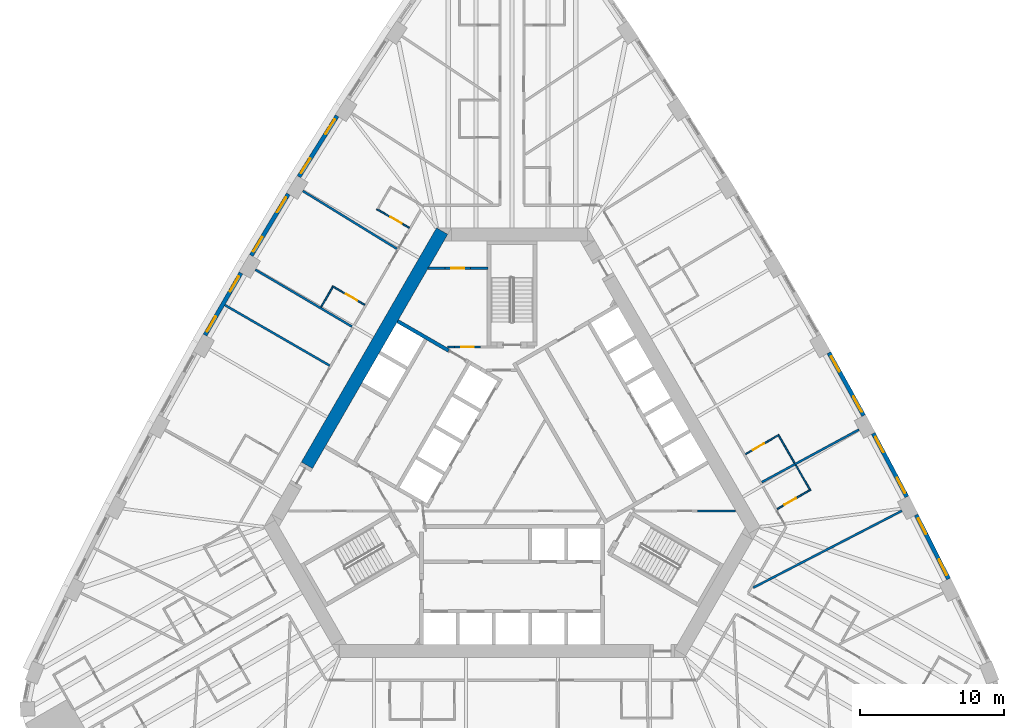
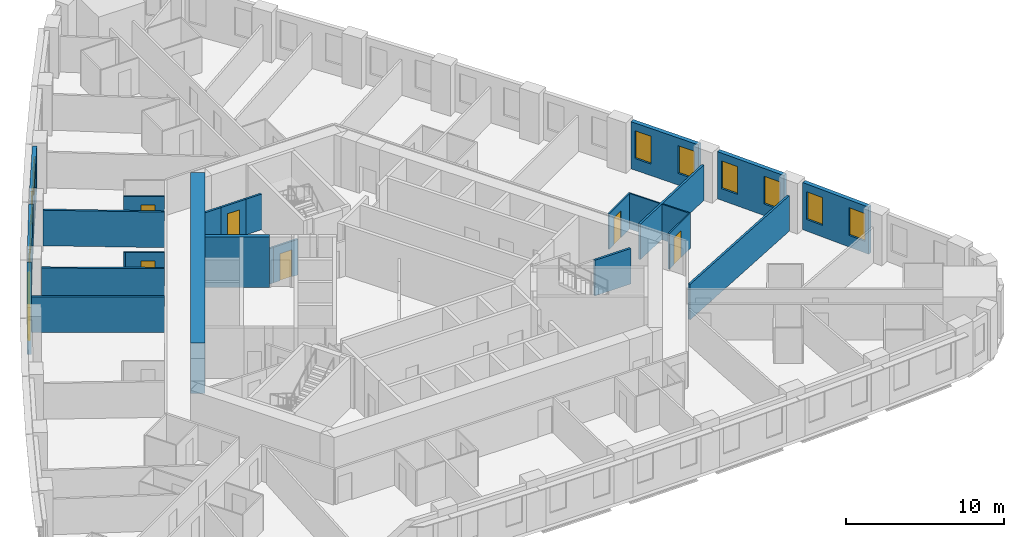
# One storey, part 9 of 13: 26 walls, 12 windows, 6 doors, 18 openings.
"""IFC4 building model written with IfcOpenShell, lengths in metres."""

import ifcopenshell
import ifcopenshell.guid

model = None  # the IFC model being written
_history = None  # IfcOwnerHistory: only IFC2X3 demands one
_inside = {}  # id of a spatial element -> (the spatial element, [elements in it])
_under = {}  # id of a project, library or spatial element -> (it, [spatial elements below it])
_declared = {}  # id of a project -> (the project, [libraries it declares])
_typed = {}  # id of a type object -> (the type object, [elements of that type])
_made_of = {}  # id of a material, layer set ... -> (it, [elements and type objects made of it])


def new_model(schema):
    """Start an empty IFC model of exactly this schema.

    Asked for "IFC4X3", IfcOpenShell would pick the latest addendum, in which some entities
    have other attributes; the version numbers below select the first issue.
    IFC2X3 requires an IfcOwnerHistory on every rooted entity: one is made here for all.
    """
    global model, _history
    if schema == "IFC4X3":
        model = ifcopenshell.file(schema_version=(4, 3, 0, 0))
    else:
        model = ifcopenshell.file(schema=schema)
    _inside.clear()
    _under.clear()
    _declared.clear()
    _typed.clear()
    _made_of.clear()
    _history = None
    if model.schema == "IFC2X3":
        org = make("IfcOrganization", Name="unknown")
        user = make(
            "IfcPersonAndOrganization",
            ThePerson=make("IfcPerson", FamilyName="unknown"),
            TheOrganization=org,
        )
        app = make(
            "IfcApplication",
            ApplicationDeveloper=org,
            Version="unknown",
            ApplicationFullName="unknown",
            ApplicationIdentifier="unknown",
        )
        _history = make(
            "IfcOwnerHistory",
            OwningUser=user,
            OwningApplication=app,
            ChangeAction="ADDED",
            CreationDate=0,
        )
    return model


def make(cls, **values):
    """One entity of the class cls with the attributes given. An attribute that is None is left unset."""
    return model.create_entity(
        cls, **{name: value for name, value in values.items() if value is not None}
    )


def rooted(cls, **values):
    """An entity with a GlobalId (a new one), such as an element, a storey or a relation."""
    return make(cls, GlobalId=ifcopenshell.guid.new(), OwnerHistory=_history, **values)


def si_unit(unit_type, name, prefix=None):
    """IfcSIUnit, for example si_unit("LENGTHUNIT", "METRE", prefix="MILLI")."""
    return make("IfcSIUnit", UnitType=unit_type, Prefix=prefix, Name=name)


def assignment(units):
    """IfcUnitAssignment: the units of a project."""
    return None if units is None else make("IfcUnitAssignment", Units=units)


def point(xyz):
    """IfcCartesianPoint."""
    return None if xyz is None else make("IfcCartesianPoint", Coordinates=xyz)


def direction(xyz):
    """IfcDirection."""
    return None if xyz is None else make("IfcDirection", DirectionRatios=xyz)


def frame(location, z_axis=None, x_axis=None):
    """IfcAxis2Placement3D, a coordinate frame: its origin and axes. An axis left out is left unset."""
    return make(
        "IfcAxis2Placement3D",
        Location=point(location),
        Axis=direction(z_axis),
        RefDirection=direction(x_axis),
    )


def frame_2d(location, x_axis=None):
    """IfcAxis2Placement2D, a coordinate frame in the plane: its origin and x axis."""
    return make(
        "IfcAxis2Placement2D", Location=point(location), RefDirection=direction(x_axis)
    )


def origin():
    """The frame at (0, 0, 0) with its axes left unset."""
    return frame((0.0, 0.0, 0.0))


def place(relative_to, where):
    """IfcLocalPlacement: puts the frame where relative to a parent placement (None: the world)."""
    return make(
        "IfcLocalPlacement", PlacementRelTo=relative_to, RelativePlacement=where
    )


def context(
    kind, dimensions, precision=None, world=None, true_north=None, identifier=None
):
    """IfcGeometricRepresentationContext, for example the 3D "Model" context."""
    return make(
        "IfcGeometricRepresentationContext",
        ContextIdentifier=identifier,
        ContextType=kind,
        CoordinateSpaceDimension=dimensions,
        Precision=precision,
        WorldCoordinateSystem=world,
        TrueNorth=true_north,
    )


def subcontext(parent, identifier, kind, view, scale=None):
    """IfcGeometricRepresentationSubContext, for example "Body" below "Model"."""
    return make(
        "IfcGeometricRepresentationSubContext",
        ContextIdentifier=identifier,
        ContextType=kind,
        ParentContext=parent,
        TargetScale=scale,
        TargetView=view,
    )


def project(units=None, contexts=None):
    """IfcProject with its units and contexts."""
    return rooted(
        "IfcProject",
        Name="project",
        RepresentationContexts=contexts,
        UnitsInContext=assignment(units),
    )


def spatial(cls, under=None, at=None, **own):
    """A site, building, storey or space (cls), placed at a placement, below another one or the project."""
    s = rooted(cls, ObjectPlacement=at, **own)
    if under is not None:
        _under.setdefault(under.id(), (under, []))[1].append(s)
    return s


def profile(cls, at=None, kind="AREA", **sizes):
    """A parametric profile (cls). Its sizes go by their IFC names, for example OverallWidth=200.0."""
    return make(cls, ProfileType=kind, Position=at, **sizes)


def rectangle(**sizes):
    """IfcRectangleProfileDef."""
    return profile("IfcRectangleProfileDef", **sizes)


def extrude(swept, where, along, depth):
    """IfcExtrudedAreaSolid: the profile swept, set in the frame where, extruded along a direction by depth."""
    return make(
        "IfcExtrudedAreaSolid",
        SweptArea=swept,
        Position=where,
        ExtrudedDirection=direction(along),
        Depth=depth,
    )


def shape(context_of_items, identifier, shape_type, items):
    """IfcShapeRepresentation: the items that make up one representation, for example the "Body"."""
    return make(
        "IfcShapeRepresentation",
        ContextOfItems=context_of_items,
        RepresentationIdentifier=identifier,
        RepresentationType=shape_type,
        Items=items,
    )


def material(Name=None, Category=None):
    """IfcMaterial."""
    return make("IfcMaterial", Name=Name, Category=Category)


def layer(
    of_material, thickness, ventilated=None, Name=None, Category=None, Priority=None
):
    """IfcMaterialLayer: one layer of a wall or slab, of a material (None: an air gap)."""
    return make(
        "IfcMaterialLayer",
        Material=of_material,
        LayerThickness=thickness,
        IsVentilated=ventilated,
        Name=Name,
        Category=Category,
        Priority=Priority,
    )


def layer_set(layers, Name=None):
    """IfcMaterialLayerSet."""
    return make("IfcMaterialLayerSet", MaterialLayers=layers, LayerSetName=Name)


def made_of(thing, what):
    """Note that an element or type object is made of a material, layer set ...; save() writes the relation."""
    if what is not None:
        _made_of.setdefault(what.id(), (what, []))[1].append(thing)
    return thing


def type_object(cls, material=None, **own):
    """A type object (cls), such as IfcWallType, which elements share."""
    return made_of(rooted(cls, **own), material)


def element(
    cls,
    number,
    at=None,
    inside=None,
    cuts=None,
    type_object=None,
    material=None,
    context=None,
    identifier="Body",
    shape_type=None,
    held_by="IfcProductDefinitionShape",
    body=None,
    shapes=None,
    **own,
):
    """One element of the class cls, such as IfcWall. Its Tag is "e" and its number.

    at: its placement. inside: the storey or other place that contains it. cuts: it is an
    opening in that element (IfcRelVoidsElement). A single representation is given by context,
    identifier, shape_type and body (its items); several are given by shapes. held_by: the class
    of the entity that holds the representations. save() writes the other relations.
    """
    e = rooted(cls, Tag="e%d" % number, ObjectPlacement=at, **own)
    if body is not None:
        shapes = [shape(context, identifier, shape_type, body)]
    if shapes is not None:
        e.Representation = make(held_by, Representations=shapes)
    if inside is not None:
        _inside.setdefault(inside.id(), (inside, []))[1].append(e)
    if cuts is not None:
        rooted(
            "IfcRelVoidsElement", RelatingBuildingElement=cuts, RelatedOpeningElement=e
        )
    if type_object is not None:
        _typed.setdefault(type_object.id(), (type_object, []))[1].append(e)
    return made_of(e, material)


def fill(opening, filler):
    """IfcRelFillsElement: the door or window that sits in an opening."""
    return rooted(
        "IfcRelFillsElement",
        RelatingOpeningElement=opening,
        RelatedBuildingElement=filler,
    )


def aggregate(whole, parts):
    """IfcRelAggregates: a whole, such as a stair, and the parts it consists of."""
    return rooted("IfcRelAggregates", RelatingObject=whole, RelatedObjects=parts)


def save(model, path):
    """Write the relations noted so far, then the file.

    IfcRelAggregates (storeys below a building ...), IfcRelContainedInSpatialStructure (elements
    in a storey), IfcRelDefinesByType, IfcRelAssociatesMaterial and IfcRelDeclares: one each for
    every whole, place, type object, material and project.
    """
    for whole, parts in _under.values():
        aggregate(whole, parts)
    for where, things in _inside.values():
        rooted(
            "IfcRelContainedInSpatialStructure",
            RelatedElements=things,
            RelatingStructure=where,
        )
    for kind, things in _typed.values():
        rooted("IfcRelDefinesByType", RelatedObjects=things, RelatingType=kind)
    for what, things in _made_of.values():
        rooted("IfcRelAssociatesMaterial", RelatedObjects=things, RelatingMaterial=what)
    for by, libraries in _declared.values():
        rooted("IfcRelDeclares", RelatingContext=by, RelatedDefinitions=libraries)
    model.write(path)


model = new_model("IFC4")

# Units and contexts
model_context = context("Model", 3, precision=1e-05, world=origin(), true_north=direction((0.0, 1.0)))
body_context = subcontext(model_context, "Body", "Model", "MODEL_VIEW")
ifc_project = project(units=[si_unit("LENGTHUNIT", "METRE"), si_unit("AREAUNIT", "SQUARE_METRE"), si_unit("VOLUMEUNIT", "CUBIC_METRE"), si_unit("PLANEANGLEUNIT", "RADIAN"), si_unit("MASSUNIT", "GRAM", prefix="KILO")], contexts=[model_context])

# Site, building, storey
site_placement = place(None, origin())
site = spatial("IfcSite", under=ifc_project, at=site_placement, CompositionType="ELEMENT")
building_placement = place(site_placement, origin())
building = spatial("IfcBuilding", under=site, at=building_placement, Name="Mestral Congress Tower", CompositionType="ELEMENT")
storey_placement = place(building_placement, frame((0.0, 0.0, 54.89990234375)))
storey = spatial("IfcBuildingStorey", under=building, at=storey_placement, Name="L12", CompositionType="ELEMENT", Elevation=54.89990234375)

# Walls
ifc_material_1 = material(Name="Fire-rated board partition")
ifc_layer_1 = layer(ifc_material_1, 0.14990234375)
ifc_layer_set_1 = layer_set([ifc_layer_1], Name="Fire-rated board partition")
wall_type_1 = type_object("IfcWallType", Name="Core partition 150", PredefinedType="PARTITIONING", material=ifc_layer_set_1)
wall_1_placement = place(storey_placement, frame((-3.99658203125, 8.625244140625, 0.0), z_axis=(0.0, 0.0, 1.0), x_axis=(-1.0, 0.0, 0.0)))
element("IfcWall", 1, at=wall_1_placement, inside=storey, type_object=wall_type_1, Name="L12 core wall", PredefinedType="PARTITIONING", context=body_context, shape_type="SweptSolid", body=[
    extrude(rectangle(XDim=0.502197265625, YDim=0.14990234375, at=frame_2d((0.2509765625, 0.0))), origin(), (0.0, 0.0, 1.0), 2.75),
])
wall_2_placement = place(storey_placement, frame((-5.85107421875, 14.10205078125, 0.0), z_axis=(0.0, 0.0, 1.0), x_axis=(1.0, 0.0, 0.0)))
element("IfcWall", 2, at=wall_2_placement, inside=storey, type_object=wall_type_1, Name="L12 core wall", PredefinedType="PARTITIONING", context=body_context, shape_type="SweptSolid", body=[
    extrude(rectangle(XDim=1.18017578125, YDim=0.14990234375, at=frame_2d((0.590087890625, 0.0))), origin(), (0.0, 0.0, 1.0), 2.75),
])
wall_3_placement = place(storey_placement, frame((12.914794921875, -2.800048828125, 0.0), z_axis=(0.0, 0.0, 1.0), x_axis=(1.0, 0.0, 0.0)))
element("IfcWall", 3, at=wall_3_placement, inside=storey, type_object=wall_type_1, Name="L12 core wall", PredefinedType="PARTITIONING", context=body_context, shape_type="SweptSolid", body=[
    extrude(rectangle(XDim=2.636962890625, YDim=0.14990234375, at=frame_2d((1.318359375, 0.0))), origin(), (0.0, 0.0, 1.0), 2.75),
])
wall_4_placement = place(storey_placement, frame((-2.87060546875, 14.10205078125, 0.0), z_axis=(0.0, 0.0, 1.0), x_axis=(1.0, 0.0, 0.0)))
element("IfcWall", 4, at=wall_4_placement, inside=storey, type_object=wall_type_1, Name="L12 core wall", PredefinedType="PARTITIONING", context=body_context, shape_type="SweptSolid", body=[
    extrude(rectangle(XDim=1.195556640625, YDim=0.14990234375, at=frame_2d((0.59765625, 0.0))), origin(), (0.0, 0.0, 1.0), 2.75),
])

# Wall, opening, door
wall_5_placement = place(storey_placement, frame((-2.1962890625, 8.625, 0.0), z_axis=(0.0, 0.0, 1.0), x_axis=(-1.0, 0.0, 0.0)))
wall_5 = element("IfcWall", 5, at=wall_5_placement, inside=storey, type_object=wall_type_1, Name="L12 door wall", PredefinedType="PARTITIONING", context=body_context, shape_type="SweptSolid", body=[
    extrude(rectangle(XDim=1.800048828125, YDim=0.14990234375, at=frame_2d((0.89990234375, 0.0))), origin(), (0.0, 0.0, 1.0), 2.75),
])
opening_1_placement = place(wall_5_placement, frame((0.449951171875, 0.0, 0.0)))
opening_1 = element("IfcOpeningElement", 6, at=opening_1_placement, cuts=wall_5, Name="Opening TD2", PredefinedType="OPENING", context=body_context, shape_type="SweptSolid", body=[
    extrude(rectangle(XDim=0.89990234375, YDim=2.10009765625, at=frame_2d((0.449951171875, 1.050048828125))), frame((0.0, 0.0849609375, 0.0), z_axis=(0.0, -1.0, 0.0), x_axis=(1.0, 0.0, 0.0)), (0.0, 0.0, 1.0), 0.169921875),
])
ifc_material_2 = material(Name="Fire-rated steel door set", Category="steel")
door_type_1 = type_object("IfcDoorType", Name="Core door SR 900x2100", OperationType="SINGLE_SWING_LEFT", PredefinedType="DOOR", material=ifc_material_2)
door_1_placement = place(opening_1_placement, origin())
door_1 = element("IfcDoor", 7, at=door_1_placement, inside=storey, type_object=door_type_1, Name="Door TD2", OperationType="SINGLE_SWING_LEFT", OverallHeight=2.10009765625, OverallWidth=0.89990234375, PredefinedType="DOOR", context=body_context, shape_type="SweptSolid", body=[
    extrude(rectangle(XDim=0.89990234375, YDim=2.10009765625, at=frame_2d((0.449951171875, 1.050048828125))), frame((0.0, 0.02490234375, 0.0), z_axis=(0.0, -1.0, 0.0), x_axis=(1.0, 0.0, 0.0)), (0.0, 0.0, 1.0), 0.050048828125),
])
fill(opening_1, door_1)

wall_6_placement = place(storey_placement, frame((-2.870849609375, 14.10205078125, 0.0), z_axis=(0.0, 0.0, 1.0), x_axis=(-1.0, 0.0, 0.0)))
wall_6 = element("IfcWall", 8, at=wall_6_placement, inside=storey, type_object=wall_type_1, Name="L12 door wall", PredefinedType="PARTITIONING", context=body_context, shape_type="SweptSolid", body=[
    extrude(rectangle(XDim=1.800048828125, YDim=0.14990234375, at=frame_2d((0.89990234375, 0.0))), origin(), (0.0, 0.0, 1.0), 2.75),
])
opening_2_placement = place(wall_6_placement, frame((0.449951171875, 0.0, 0.0)))
opening_2 = element("IfcOpeningElement", 9, at=opening_2_placement, cuts=wall_6, Name="Opening SD-WS2", PredefinedType="OPENING", context=body_context, shape_type="SweptSolid", body=[
    extrude(rectangle(XDim=0.89990234375, YDim=2.10009765625, at=frame_2d((0.449951171875, 1.050048828125))), frame((0.0, 0.0849609375, 0.0), z_axis=(0.0, -1.0, 0.0), x_axis=(1.0, 0.0, 0.0)), (0.0, 0.0, 1.0), 0.169921875),
])
door_2_placement = place(opening_2_placement, origin())
door_2 = element("IfcDoor", 10, at=door_2_placement, inside=storey, type_object=door_type_1, Name="Door SD-WS2", OperationType="SINGLE_SWING_LEFT", OverallHeight=2.10009765625, OverallWidth=0.89990234375, PredefinedType="DOOR", context=body_context, shape_type="SweptSolid", body=[
    extrude(rectangle(XDim=0.89990234375, YDim=2.10009765625, at=frame_2d((0.449951171875, 1.050048828125))), frame((0.0, 0.02490234375, 0.0), z_axis=(0.0, -1.0, 0.0), x_axis=(1.0, 0.0, 0.0)), (0.0, 0.0, 1.0), 0.050048828125),
])
fill(opening_2, door_2)

# Wall
ifc_material_3 = material(Name="Concrete C60/75", Category="concrete")
ifc_layer_2 = layer(ifc_material_3, 0.89990234375)
ifc_layer_set_2 = layer_set([ifc_layer_2], Name="Concrete C60/75")
wall_type_2 = type_object("IfcWallType", Name="Core wall RC 900", PredefinedType="SOLIDWALL", material=ifc_layer_set_2)
wall_7_placement = place(storey_placement, frame((-14.267822265625, 0.38720703125, 0.0), z_axis=(0.0, 0.0, 1.0), x_axis=(0.499994617707, 0.866028511231, 0.0)))
element("IfcWall", 11, at=wall_7_placement, inside=storey, type_object=wall_type_2, Name="L12 core wall", PredefinedType="SOLIDWALL", context=body_context, shape_type="SweptSolid", body=[
    extrude(rectangle(XDim=18.817138671875, YDim=0.89990234375, at=frame_2d((9.40869140625, 0.0))), origin(), (0.0, 0.0, 1.0), 3.900146484375),
])

# Wall, openings, windows
ifc_material_4 = material(Name="Precast concrete C40/50 with limestone facing", Category="masonry")
ifc_layer_3 = layer(ifc_material_4, 0.2900390625)
ifc_layer_set_3 = layer_set([ifc_layer_3], Name="Precast concrete C40/50 with limestone facing")
wall_type_3 = type_object("IfcWallType", Name="Facade stone wall 290", PredefinedType="SOLIDWALL", material=ifc_layer_set_3)
wall_8_placement = place(storey_placement, frame((30.376953125, -7.5205078125, 0.0), z_axis=(0.0, 0.0, 1.0), x_axis=(-0.451233929645, 0.892405704115, 0.0)))
wall_8 = element("IfcWall", 12, at=wall_8_placement, inside=storey, type_object=wall_type_3, Name="Facade wall F1-01", PredefinedType="SOLIDWALL", context=body_context, shape_type="SweptSolid", body=[
    extrude(rectangle(XDim=4.998291015625, YDim=0.2900390625, at=frame_2d((2.4990234375, 0.0))), origin(), (0.0, 0.0, 1.0), 3.650146484375),
])
opening_3_placement = place(wall_8_placement, frame((0.297119140625, 0.0, 0.89990234375)))
opening_3 = element("IfcOpeningElement", 13, at=opening_3_placement, cuts=wall_8, Name="Opening W1", PredefinedType="OPENING", context=body_context, shape_type="SweptSolid", body=[
    extrude(rectangle(XDim=1.199951171875, YDim=2.14990234375, at=frame_2d((0.60009765625, 1.074951171875))), frame((0.0, 0.155029296875, 0.0), z_axis=(0.0, -1.0, 0.0), x_axis=(1.0, 0.0, 0.0)), (0.0, 0.0, 1.0), 0.31005859375),
])
opening_4_placement = place(wall_8_placement, frame((3.501220703125, 0.0, 0.89990234375)))
opening_4 = element("IfcOpeningElement", 14, at=opening_4_placement, cuts=wall_8, Name="Opening W1", PredefinedType="OPENING", context=body_context, shape_type="SweptSolid", body=[
    extrude(rectangle(XDim=1.199951171875, YDim=2.14990234375, at=frame_2d((0.60009765625, 1.074951171875))), frame((0.0, 0.155029296875, 0.0), z_axis=(0.0, -1.0, 0.0), x_axis=(1.0, 0.0, 0.0)), (0.0, 0.0, 1.0), 0.31005859375),
])
ifc_material_5 = material(Name="Clear low-emissivity double glazing", Category="glass")
window_type = type_object("IfcWindowType", Name="Facade punched window 1200 x 2150 sill 900", PartitioningType="DOUBLE_PANEL_VERTICAL", PredefinedType="WINDOW", material=ifc_material_5)
window_1_placement = place(opening_3_placement, origin())
window_1 = element("IfcWindow", 15, at=window_1_placement, inside=storey, type_object=window_type, Name="Window F1-01a", OverallHeight=2.14990234375, OverallWidth=1.199951171875, PartitioningType="DOUBLE_PANEL_VERTICAL", PredefinedType="WINDOW", context=body_context, shape_type="SweptSolid", body=[
    extrude(rectangle(XDim=1.199951171875, YDim=2.14990234375, at=frame_2d((0.60009765625, 1.074951171875))), frame((0.0, 0.01513671875, 0.0), z_axis=(0.0, -1.0, 0.0), x_axis=(1.0, 0.0, 0.0)), (0.0, 0.0, 1.0), 0.06005859375),
])
fill(opening_3, window_1)
window_2_placement = place(opening_4_placement, origin())
window_2 = element("IfcWindow", 16, at=window_2_placement, inside=storey, type_object=window_type, Name="Window F1-01b", OverallHeight=2.14990234375, OverallWidth=1.199951171875, PartitioningType="DOUBLE_PANEL_VERTICAL", PredefinedType="WINDOW", context=body_context, shape_type="SweptSolid", body=[
    extrude(rectangle(XDim=1.199951171875, YDim=2.14990234375, at=frame_2d((0.60009765625, 1.074951171875))), frame((0.0, 0.01513671875, 0.0), z_axis=(0.0, -1.0, 0.0), x_axis=(1.0, 0.0, 0.0)), (0.0, 0.0, 1.0), 0.06005859375),
])
fill(opening_4, window_2)

wall_9_placement = place(storey_placement, frame((27.47509765625, -1.810302734375, 0.0), z_axis=(0.0, 0.0, 1.0), x_axis=(-0.467629620899, 0.883924509026, 0.0)))
wall_9 = element("IfcWall", 17, at=wall_9_placement, inside=storey, type_object=wall_type_3, Name="Facade wall F1-02", PredefinedType="SOLIDWALL", context=body_context, shape_type="SweptSolid", body=[
    extrude(rectangle(XDim=4.998291015625, YDim=0.2900390625, at=frame_2d((2.4990234375, 0.0))), origin(), (0.0, 0.0, 1.0), 3.650146484375),
])
opening_5_placement = place(wall_9_placement, frame((0.297119140625, 0.0, 0.89990234375)))
opening_5 = element("IfcOpeningElement", 18, at=opening_5_placement, cuts=wall_9, Name="Opening W1", PredefinedType="OPENING", context=body_context, shape_type="SweptSolid", body=[
    extrude(rectangle(XDim=1.199951171875, YDim=2.14990234375, at=frame_2d((0.60009765625, 1.074951171875))), frame((0.0, 0.155029296875, 0.0), z_axis=(0.0, -1.0, 0.0), x_axis=(1.0, 0.0, 0.0)), (0.0, 0.0, 1.0), 0.31005859375),
])
opening_6_placement = place(wall_9_placement, frame((3.501220703125, 0.0, 0.89990234375)))
opening_6 = element("IfcOpeningElement", 19, at=opening_6_placement, cuts=wall_9, Name="Opening W1", PredefinedType="OPENING", context=body_context, shape_type="SweptSolid", body=[
    extrude(rectangle(XDim=1.199951171875, YDim=2.14990234375, at=frame_2d((0.60009765625, 1.074951171875))), frame((0.0, 0.155029296875, 0.0), z_axis=(0.0, -1.0, 0.0), x_axis=(1.0, 0.0, 0.0)), (0.0, 0.0, 1.0), 0.31005859375),
])
window_3_placement = place(opening_5_placement, origin())
window_3 = element("IfcWindow", 20, at=window_3_placement, inside=storey, type_object=window_type, Name="Window F1-02a", OverallHeight=2.14990234375, OverallWidth=1.199951171875, PartitioningType="DOUBLE_PANEL_VERTICAL", PredefinedType="WINDOW", context=body_context, shape_type="SweptSolid", body=[
    extrude(rectangle(XDim=1.199951171875, YDim=2.14990234375, at=frame_2d((0.60009765625, 1.074951171875))), frame((0.0, 0.01513671875, 0.0), z_axis=(0.0, -1.0, 0.0), x_axis=(1.0, 0.0, 0.0)), (0.0, 0.0, 1.0), 0.06005859375),
])
fill(opening_5, window_3)
window_4_placement = place(opening_6_placement, origin())
window_4 = element("IfcWindow", 21, at=window_4_placement, inside=storey, type_object=window_type, Name="Window F1-02b", OverallHeight=2.14990234375, OverallWidth=1.199951171875, PartitioningType="DOUBLE_PANEL_VERTICAL", PredefinedType="WINDOW", context=body_context, shape_type="SweptSolid", body=[
    extrude(rectangle(XDim=1.199951171875, YDim=2.14990234375, at=frame_2d((0.60009765625, 1.074951171875))), frame((0.0, 0.01513671875, 0.0), z_axis=(0.0, -1.0, 0.0), x_axis=(1.0, 0.0, 0.0)), (0.0, 0.0, 1.0), 0.06005859375),
])
fill(opening_6, window_4)

wall_10_placement = place(storey_placement, frame((24.46826171875, 3.845703125, 0.0), z_axis=(0.0, 0.0, 1.0), x_axis=(-0.483912572871, 0.875116347589, 0.0)))
wall_10 = element("IfcWall", 22, at=wall_10_placement, inside=storey, type_object=wall_type_3, Name="Facade wall F1-03", PredefinedType="SOLIDWALL", context=body_context, shape_type="SweptSolid", body=[
    extrude(rectangle(XDim=4.998291015625, YDim=0.2900390625, at=frame_2d((2.4990234375, 0.0))), origin(), (0.0, 0.0, 1.0), 3.650146484375),
])
opening_7_placement = place(wall_10_placement, frame((0.297119140625, 0.0, 0.89990234375)))
opening_7 = element("IfcOpeningElement", 23, at=opening_7_placement, cuts=wall_10, Name="Opening W1", PredefinedType="OPENING", context=body_context, shape_type="SweptSolid", body=[
    extrude(rectangle(XDim=1.199951171875, YDim=2.14990234375, at=frame_2d((0.60009765625, 1.074951171875))), frame((0.0, 0.155029296875, 0.0), z_axis=(0.0, -1.0, 0.0), x_axis=(1.0, 0.0, 0.0)), (0.0, 0.0, 1.0), 0.31005859375),
])
opening_8_placement = place(wall_10_placement, frame((3.501220703125, 0.0, 0.89990234375)))
opening_8 = element("IfcOpeningElement", 24, at=opening_8_placement, cuts=wall_10, Name="Opening W1", PredefinedType="OPENING", context=body_context, shape_type="SweptSolid", body=[
    extrude(rectangle(XDim=1.199951171875, YDim=2.14990234375, at=frame_2d((0.60009765625, 1.074951171875))), frame((0.0, 0.155029296875, 0.0), z_axis=(0.0, -1.0, 0.0), x_axis=(1.0, 0.0, 0.0)), (0.0, 0.0, 1.0), 0.31005859375),
])
window_5_placement = place(opening_7_placement, origin())
window_5 = element("IfcWindow", 25, at=window_5_placement, inside=storey, type_object=window_type, Name="Window F1-03a", OverallHeight=2.14990234375, OverallWidth=1.199951171875, PartitioningType="DOUBLE_PANEL_VERTICAL", PredefinedType="WINDOW", context=body_context, shape_type="SweptSolid", body=[
    extrude(rectangle(XDim=1.199951171875, YDim=2.14990234375, at=frame_2d((0.60009765625, 1.074951171875))), frame((0.0, 0.01513671875, 0.0), z_axis=(0.0, -1.0, 0.0), x_axis=(1.0, 0.0, 0.0)), (0.0, 0.0, 1.0), 0.06005859375),
])
fill(opening_7, window_5)
window_6_placement = place(opening_8_placement, origin())
window_6 = element("IfcWindow", 26, at=window_6_placement, inside=storey, type_object=window_type, Name="Window F1-03b", OverallHeight=2.14990234375, OverallWidth=1.199951171875, PartitioningType="DOUBLE_PANEL_VERTICAL", PredefinedType="WINDOW", context=body_context, shape_type="SweptSolid", body=[
    extrude(rectangle(XDim=1.199951171875, YDim=2.14990234375, at=frame_2d((0.60009765625, 1.074951171875))), frame((0.0, 0.01513671875, 0.0), z_axis=(0.0, -1.0, 0.0), x_axis=(1.0, 0.0, 0.0)), (0.0, 0.0, 1.0), 0.06005859375),
])
fill(opening_8, window_6)

wall_11_placement = place(storey_placement, frame((-12.169921875, 24.69921875, 0.0), z_axis=(0.0, 0.0, 1.0), x_axis=(-0.531688286542, -0.846940119462, 0.0)))
wall_11 = element("IfcWall", 27, at=wall_11_placement, inside=storey, type_object=wall_type_3, Name="Facade wall F2-02", PredefinedType="SOLIDWALL", context=body_context, shape_type="SweptSolid", body=[
    extrude(rectangle(XDim=4.998291015625, YDim=0.2900390625, at=frame_2d((2.4990234375, 0.0))), origin(), (0.0, 0.0, 1.0), 3.650146484375),
])
opening_9_placement = place(wall_11_placement, frame((0.297119140625, 0.0, 0.89990234375)))
opening_9 = element("IfcOpeningElement", 28, at=opening_9_placement, cuts=wall_11, Name="Opening W1", PredefinedType="OPENING", context=body_context, shape_type="SweptSolid", body=[
    extrude(rectangle(XDim=1.199951171875, YDim=2.14990234375, at=frame_2d((0.60009765625, 1.074951171875))), frame((0.0, 0.155029296875, 0.0), z_axis=(0.0, -1.0, 0.0), x_axis=(1.0, 0.0, 0.0)), (0.0, 0.0, 1.0), 0.31005859375),
])
opening_10_placement = place(wall_11_placement, frame((3.501220703125, 0.0, 0.89990234375)))
opening_10 = element("IfcOpeningElement", 29, at=opening_10_placement, cuts=wall_11, Name="Opening W1", PredefinedType="OPENING", context=body_context, shape_type="SweptSolid", body=[
    extrude(rectangle(XDim=1.199951171875, YDim=2.14990234375, at=frame_2d((0.60009765625, 1.074951171875))), frame((0.0, 0.155029296875, 0.0), z_axis=(0.0, -1.0, 0.0), x_axis=(1.0, 0.0, 0.0)), (0.0, 0.0, 1.0), 0.31005859375),
])
window_7_placement = place(opening_9_placement, origin())
window_7 = element("IfcWindow", 30, at=window_7_placement, inside=storey, type_object=window_type, Name="Window F2-02a", OverallHeight=2.14990234375, OverallWidth=1.199951171875, PartitioningType="DOUBLE_PANEL_VERTICAL", PredefinedType="WINDOW", context=body_context, shape_type="SweptSolid", body=[
    extrude(rectangle(XDim=1.199951171875, YDim=2.14990234375, at=frame_2d((0.60009765625, 1.074951171875))), frame((0.0, 0.01513671875, 0.0), z_axis=(0.0, -1.0, 0.0), x_axis=(1.0, 0.0, 0.0)), (0.0, 0.0, 1.0), 0.06005859375),
])
fill(opening_9, window_7)
window_8_placement = place(opening_10_placement, origin())
window_8 = element("IfcWindow", 31, at=window_8_placement, inside=storey, type_object=window_type, Name="Window F2-02b", OverallHeight=2.14990234375, OverallWidth=1.199951171875, PartitioningType="DOUBLE_PANEL_VERTICAL", PredefinedType="WINDOW", context=body_context, shape_type="SweptSolid", body=[
    extrude(rectangle(XDim=1.199951171875, YDim=2.14990234375, at=frame_2d((0.60009765625, 1.074951171875))), frame((0.0, 0.01513671875, 0.0), z_axis=(0.0, -1.0, 0.0), x_axis=(1.0, 0.0, 0.0)), (0.0, 0.0, 1.0), 0.06005859375),
])
fill(opening_10, window_8)

wall_12_placement = place(storey_placement, frame((-15.564453125, 19.267333984375, 0.0), z_axis=(0.0, 0.0, 1.0), x_axis=(-0.515938796285, -0.856625448191, 0.0)))
wall_12 = element("IfcWall", 32, at=wall_12_placement, inside=storey, type_object=wall_type_3, Name="Facade wall F2-03", PredefinedType="SOLIDWALL", context=body_context, shape_type="SweptSolid", body=[
    extrude(rectangle(XDim=4.998291015625, YDim=0.2900390625, at=frame_2d((2.4990234375, 0.0))), origin(), (0.0, 0.0, 1.0), 3.650146484375),
])
opening_11_placement = place(wall_12_placement, frame((0.297119140625, 0.0, 0.89990234375)))
opening_11 = element("IfcOpeningElement", 33, at=opening_11_placement, cuts=wall_12, Name="Opening W1", PredefinedType="OPENING", context=body_context, shape_type="SweptSolid", body=[
    extrude(rectangle(XDim=1.199951171875, YDim=2.14990234375, at=frame_2d((0.60009765625, 1.074951171875))), frame((0.0, 0.155029296875, 0.0), z_axis=(0.0, -1.0, 0.0), x_axis=(1.0, 0.0, 0.0)), (0.0, 0.0, 1.0), 0.31005859375),
])
opening_12_placement = place(wall_12_placement, frame((3.501220703125, 0.0, 0.89990234375)))
opening_12 = element("IfcOpeningElement", 34, at=opening_12_placement, cuts=wall_12, Name="Opening W1", PredefinedType="OPENING", context=body_context, shape_type="SweptSolid", body=[
    extrude(rectangle(XDim=1.199951171875, YDim=2.14990234375, at=frame_2d((0.60009765625, 1.074951171875))), frame((0.0, 0.155029296875, 0.0), z_axis=(0.0, -1.0, 0.0), x_axis=(1.0, 0.0, 0.0)), (0.0, 0.0, 1.0), 0.31005859375),
])
window_9_placement = place(opening_11_placement, origin())
window_9 = element("IfcWindow", 35, at=window_9_placement, inside=storey, type_object=window_type, Name="Window F2-03a", OverallHeight=2.14990234375, OverallWidth=1.199951171875, PartitioningType="DOUBLE_PANEL_VERTICAL", PredefinedType="WINDOW", context=body_context, shape_type="SweptSolid", body=[
    extrude(rectangle(XDim=1.199951171875, YDim=2.14990234375, at=frame_2d((0.60009765625, 1.074951171875))), frame((0.0, 0.01513671875, 0.0), z_axis=(0.0, -1.0, 0.0), x_axis=(1.0, 0.0, 0.0)), (0.0, 0.0, 1.0), 0.06005859375),
])
fill(opening_11, window_9)
window_10_placement = place(opening_12_placement, origin())
window_10 = element("IfcWindow", 36, at=window_10_placement, inside=storey, type_object=window_type, Name="Window F2-03b", OverallHeight=2.14990234375, OverallWidth=1.199951171875, PartitioningType="DOUBLE_PANEL_VERTICAL", PredefinedType="WINDOW", context=body_context, shape_type="SweptSolid", body=[
    extrude(rectangle(XDim=1.199951171875, YDim=2.14990234375, at=frame_2d((0.60009765625, 1.074951171875))), frame((0.0, 0.01513671875, 0.0), z_axis=(0.0, -1.0, 0.0), x_axis=(1.0, 0.0, 0.0)), (0.0, 0.0, 1.0), 0.06005859375),
])
fill(opening_12, window_10)

wall_13_placement = place(storey_placement, frame((-18.85791015625, 13.7734375, 0.0), z_axis=(0.0, 0.0, 1.0), x_axis=(-0.50002123722, -0.866013142123, 0.0)))
wall_13 = element("IfcWall", 37, at=wall_13_placement, inside=storey, type_object=wall_type_3, Name="Facade wall F2-04", PredefinedType="SOLIDWALL", context=body_context, shape_type="SweptSolid", body=[
    extrude(rectangle(XDim=4.998291015625, YDim=0.2900390625, at=frame_2d((2.4990234375, 0.0))), origin(), (0.0, 0.0, 1.0), 3.650146484375),
])
opening_13_placement = place(wall_13_placement, frame((0.297119140625, 0.0, 0.89990234375)))
opening_13 = element("IfcOpeningElement", 38, at=opening_13_placement, cuts=wall_13, Name="Opening W1", PredefinedType="OPENING", context=body_context, shape_type="SweptSolid", body=[
    extrude(rectangle(XDim=1.199951171875, YDim=2.14990234375, at=frame_2d((0.60009765625, 1.074951171875))), frame((0.0, 0.155029296875, 0.0), z_axis=(0.0, -1.0, 0.0), x_axis=(1.0, 0.0, 0.0)), (0.0, 0.0, 1.0), 0.31005859375),
])
opening_14_placement = place(wall_13_placement, frame((3.501220703125, 0.0, 0.89990234375)))
opening_14 = element("IfcOpeningElement", 39, at=opening_14_placement, cuts=wall_13, Name="Opening W1", PredefinedType="OPENING", context=body_context, shape_type="SweptSolid", body=[
    extrude(rectangle(XDim=1.199951171875, YDim=2.14990234375, at=frame_2d((0.60009765625, 1.074951171875))), frame((0.0, 0.155029296875, 0.0), z_axis=(0.0, -1.0, 0.0), x_axis=(1.0, 0.0, 0.0)), (0.0, 0.0, 1.0), 0.31005859375),
])
window_11_placement = place(opening_13_placement, origin())
window_11 = element("IfcWindow", 40, at=window_11_placement, inside=storey, type_object=window_type, Name="Window F2-04a", OverallHeight=2.14990234375, OverallWidth=1.199951171875, PartitioningType="DOUBLE_PANEL_VERTICAL", PredefinedType="WINDOW", context=body_context, shape_type="SweptSolid", body=[
    extrude(rectangle(XDim=1.199951171875, YDim=2.14990234375, at=frame_2d((0.60009765625, 1.074951171875))), frame((0.0, 0.01513671875, 0.0), z_axis=(0.0, -1.0, 0.0), x_axis=(1.0, 0.0, 0.0)), (0.0, 0.0, 1.0), 0.06005859375),
])
fill(opening_13, window_11)
window_12_placement = place(opening_14_placement, origin())
window_12 = element("IfcWindow", 41, at=window_12_placement, inside=storey, type_object=window_type, Name="Window F2-04b", OverallHeight=2.14990234375, OverallWidth=1.199951171875, PartitioningType="DOUBLE_PANEL_VERTICAL", PredefinedType="WINDOW", context=body_context, shape_type="SweptSolid", body=[
    extrude(rectangle(XDim=1.199951171875, YDim=2.14990234375, at=frame_2d((0.60009765625, 1.074951171875))), frame((0.0, 0.01513671875, 0.0), z_axis=(0.0, -1.0, 0.0), x_axis=(1.0, 0.0, 0.0)), (0.0, 0.0, 1.0), 0.06005859375),
])
fill(opening_14, window_12)

# Wall, opening, door
ifc_material_6 = material(Name="Gypsum board partition on metal studs with mineral wool", Category="composite")
ifc_layer_4 = layer(ifc_material_6, 0.10009765625)
ifc_layer_set_4 = layer_set([ifc_layer_4], Name="Gypsum board partition on metal studs with mineral wool")
wall_type_4 = type_object("IfcWallType", Name="Hotel partition wall 100", PredefinedType="PARTITIONING", material=ifc_layer_set_4)
wall_14_placement = place(storey_placement, frame((18.45068359375, -2.657470703125, 0.0), z_axis=(0.0, 0.0, 1.0), x_axis=(0.86599734893, 0.500048589285, 0.0)))
wall_14 = element("IfcWall", 42, at=wall_14_placement, inside=storey, type_object=wall_type_4, Name="L12-h-pod11a", PredefinedType="PARTITIONING", context=body_context, shape_type="SweptSolid", body=[
    extrude(rectangle(XDim=2.699951171875, YDim=0.10009765625, at=frame_2d((1.35009765625, 0.0))), origin(), (0.0, 0.0, 1.0), 2.75),
])
opening_15_placement = place(wall_14_placement, frame((0.60009765625, 0.0, 0.0)))
opening_15 = element("IfcOpeningElement", 43, at=opening_15_placement, cuts=wall_14, Name="Opening H03-022", PredefinedType="OPENING", context=body_context, shape_type="SweptSolid", body=[
    extrude(rectangle(XDim=0.89990234375, YDim=2.10009765625, at=frame_2d((0.449951171875, 1.050048828125))), frame((0.0, 0.06005859375, 0.0), z_axis=(0.0, -1.0, 0.0), x_axis=(1.0, 0.0, 0.0)), (0.0, 0.0, 1.0), 0.1201171875),
])
ifc_material_7 = material(Name="Timber veneer door leaf in timber frame", Category="wood")
door_type_2 = type_object("IfcDoorType", Name="Bathroom door 900", OperationType="SINGLE_SWING_LEFT", PredefinedType="DOOR", material=ifc_material_7)
door_3_placement = place(opening_15_placement, origin())
door_3 = element("IfcDoor", 44, at=door_3_placement, inside=storey, type_object=door_type_2, Name="L12-h-d022", OperationType="SINGLE_SWING_LEFT", OverallHeight=2.10009765625, OverallWidth=0.89990234375, PredefinedType="DOOR", context=body_context, shape_type="SweptSolid", body=[
    extrude(rectangle(XDim=0.89990234375, YDim=2.10009765625, at=frame_2d((0.449951171875, 1.050048828125))), frame((0.0, 0.02490234375, 0.0), z_axis=(0.0, -1.0, 0.0), x_axis=(1.0, 0.0, 0.0)), (0.0, 0.0, 1.0), 0.050048828125),
])
fill(opening_15, door_3)

# Wall
wall_15_placement = place(storey_placement, frame((20.715576171875, -1.280517578125, 0.0), z_axis=(0.0, 0.0, 1.0), x_axis=(-0.499969367985, 0.866043088465, 0.0)))
element("IfcWall", 45, at=wall_15_placement, inside=storey, type_object=wall_type_4, Name="L12-h-pod11b", PredefinedType="PARTITIONING", context=body_context, shape_type="SweptSolid", body=[
    extrude(rectangle(XDim=1.93994140625, YDim=0.10009765625, at=frame_2d((0.969970703125, 0.0))), origin(), (0.0, 0.0, 1.0), 2.75),
])

# Wall, opening, door
wall_16_placement = place(storey_placement, frame((18.585693359375, 2.5087890625, 0.0), z_axis=(0.0, 0.0, 1.0), x_axis=(-0.866059108428, -0.4999416173, 0.0)))
wall_16 = element("IfcWall", 46, at=wall_16_placement, inside=storey, type_object=wall_type_4, Name="L12-h-pod12a", PredefinedType="PARTITIONING", context=body_context, shape_type="SweptSolid", body=[
    extrude(rectangle(XDim=2.699951171875, YDim=0.10009765625, at=frame_2d((1.35009765625, 0.0))), origin(), (0.0, 0.0, 1.0), 2.75),
])
opening_16_placement = place(wall_16_placement, frame((1.199951171875, 0.0, 0.0)))
opening_16 = element("IfcOpeningElement", 47, at=opening_16_placement, cuts=wall_16, Name="Opening H03-024", PredefinedType="OPENING", context=body_context, shape_type="SweptSolid", body=[
    extrude(rectangle(XDim=0.89990234375, YDim=2.10009765625, at=frame_2d((0.449951171875, 1.050048828125))), frame((0.0, 0.06005859375, 0.0), z_axis=(0.0, -1.0, 0.0), x_axis=(1.0, 0.0, 0.0)), (0.0, 0.0, 1.0), 0.1201171875),
])
door_4_placement = place(opening_16_placement, origin())
door_4 = element("IfcDoor", 48, at=door_4_placement, inside=storey, type_object=door_type_2, Name="L12-h-d024", OperationType="SINGLE_SWING_RIGHT", OverallHeight=2.10009765625, OverallWidth=0.89990234375, PredefinedType="DOOR", context=body_context, shape_type="SweptSolid", body=[
    extrude(rectangle(XDim=0.89990234375, YDim=2.10009765625, at=frame_2d((0.449951171875, 1.050048828125))), frame((0.0, 0.02490234375, 0.0), z_axis=(0.0, -1.0, 0.0), x_axis=(1.0, 0.0, 0.0)), (0.0, 0.0, 1.0), 0.050048828125),
])
fill(opening_16, door_4)

# Wall
wall_17_placement = place(storey_placement, frame((18.5673828125, 2.440673828125, 0.0), z_axis=(0.0, 0.0, 1.0), x_axis=(0.499946605688, -0.86605622881, 0.0)))
element("IfcWall", 49, at=wall_17_placement, inside=storey, type_object=wall_type_4, Name="L12-h-pod12b", PredefinedType="PARTITIONING", context=body_context, shape_type="SweptSolid", body=[
    extrude(rectangle(XDim=2.199951171875, YDim=0.10009765625, at=frame_2d((1.10009765625, 0.0))), origin(), (0.0, 0.0, 1.0), 2.75),
])

# Wall, opening, door
wall_18_placement = place(storey_placement, frame((-9.40478515625, 18.21044921875, 0.0), z_axis=(0.0, 0.0, 1.0), x_axis=(0.865997922154, -0.500047596559, 0.0)))
wall_18 = element("IfcWall", 50, at=wall_18_placement, inside=storey, type_object=wall_type_4, Name="L12-h-pod20a", PredefinedType="PARTITIONING", context=body_context, shape_type="SweptSolid", body=[
    extrude(rectangle(XDim=2.599853515625, YDim=0.10009765625, at=frame_2d((1.2998046875, 0.0))), origin(), (0.0, 0.0, 1.0), 2.75),
])
opening_17_placement = place(wall_18_placement, frame((1.10009765625, 0.0, 0.0)))
opening_17 = element("IfcOpeningElement", 51, at=opening_17_placement, cuts=wall_18, Name="Opening H03-039", PredefinedType="OPENING", context=body_context, shape_type="SweptSolid", body=[
    extrude(rectangle(XDim=0.89990234375, YDim=2.10009765625, at=frame_2d((0.449951171875, 1.050048828125))), frame((0.0, 0.06005859375, 0.0), z_axis=(0.0, -1.0, 0.0), x_axis=(1.0, 0.0, 0.0)), (0.0, 0.0, 1.0), 0.1201171875),
])
door_5_placement = place(opening_17_placement, origin())
door_5 = element("IfcDoor", 52, at=door_5_placement, inside=storey, type_object=door_type_2, Name="L12-h-d039", OperationType="SINGLE_SWING_LEFT", OverallHeight=2.10009765625, OverallWidth=0.89990234375, PredefinedType="DOOR", context=body_context, shape_type="SweptSolid", body=[
    extrude(rectangle(XDim=0.89990234375, YDim=2.10009765625, at=frame_2d((0.449951171875, 1.050048828125))), frame((0.0, 0.02490234375, 0.0), z_axis=(0.0, -1.0, 0.0), x_axis=(1.0, 0.0, 0.0)), (0.0, 0.0, 1.0), 0.050048828125),
])
fill(opening_17, door_5)

wall_19_placement = place(storey_placement, frame((-10.24853515625, 11.549072265625, 0.0), z_axis=(0.0, 0.0, 1.0), x_axis=(-0.866021400173, 0.500006934395, 0.0)))
wall_19 = element("IfcWall", 53, at=wall_19_placement, inside=storey, type_object=wall_type_4, Name="L12-h-pod21a", PredefinedType="PARTITIONING", context=body_context, shape_type="SweptSolid", body=[
    extrude(rectangle(XDim=2.60009765625, YDim=0.10009765625, at=frame_2d((1.300048828125, 0.0))), origin(), (0.0, 0.0, 1.0), 2.75),
])
opening_18_placement = place(wall_19_placement, frame((0.60009765625, 0.0, 0.0)))
opening_18 = element("IfcOpeningElement", 54, at=opening_18_placement, cuts=wall_19, Name="Opening H03-041", PredefinedType="OPENING", context=body_context, shape_type="SweptSolid", body=[
    extrude(rectangle(XDim=0.89990234375, YDim=2.10009765625, at=frame_2d((0.449951171875, 1.050048828125))), frame((0.0, 0.06005859375, 0.0), z_axis=(0.0, -1.0, 0.0), x_axis=(1.0, 0.0, 0.0)), (0.0, 0.0, 1.0), 0.1201171875),
])
door_6_placement = place(opening_18_placement, origin())
door_6 = element("IfcDoor", 55, at=door_6_placement, inside=storey, type_object=door_type_2, Name="L12-h-d041", OperationType="SINGLE_SWING_RIGHT", OverallHeight=2.10009765625, OverallWidth=0.89990234375, PredefinedType="DOOR", context=body_context, shape_type="SweptSolid", body=[
    extrude(rectangle(XDim=0.89990234375, YDim=2.10009765625, at=frame_2d((0.449951171875, 1.050048828125))), frame((0.0, 0.02490234375, 0.0), z_axis=(0.0, -1.0, 0.0), x_axis=(1.0, 0.0, 0.0)), (0.0, 0.0, 1.0), 0.050048828125),
])
fill(opening_18, door_6)

# Walls
wall_20_placement = place(storey_placement, frame((-12.48681640625, 12.772216796875, 0.0), z_axis=(0.0, 0.0, 1.0), x_axis=(-0.500085729368, -0.865975902253, 0.0)))
element("IfcWall", 56, at=wall_20_placement, inside=storey, type_object=wall_type_4, Name="L12-h-pod21b", PredefinedType="PARTITIONING", context=body_context, shape_type="SweptSolid", body=[
    extrude(rectangle(XDim=1.590087890625, YDim=0.10009765625, at=frame_2d((0.794921875, 0.0))), origin(), (0.0, 0.0, 1.0), 2.75),
])
ifc_layer_5 = layer(ifc_material_6, 0.14990234375)
ifc_layer_set_5 = layer_set([ifc_layer_5], Name="Gypsum board partition on metal studs with mineral wool")
wall_type_5 = type_object("IfcWallType", Name="Hotel partition wall 150", PredefinedType="PARTITIONING", material=ifc_layer_set_5)
wall_21_placement = place(storey_placement, frame((-19.98193359375, 11.53662109375, 0.0), z_axis=(0.0, 0.0, 1.0), x_axis=(0.866020994654, -0.500007636761, 0.0)))
element("IfcWall", 57, at=wall_21_placement, inside=storey, type_object=wall_type_5, Name="L12-h-pw07", PredefinedType="PARTITIONING", context=body_context, shape_type="SweptSolid", body=[
    extrude(rectangle(XDim=8.423095703125, YDim=0.14990234375, at=frame_2d((4.21142578125, 0.0))), origin(), (0.0, 0.0, 1.0), 2.75),
])
wall_22_placement = place(storey_placement, frame((-17.85595703125, 13.999267578125, 0.0), z_axis=(0.0, 0.0, 1.0), x_axis=(0.861371519381, -0.507975497047, 0.0)))
element("IfcWall", 58, at=wall_22_placement, inside=storey, type_object=wall_type_5, Name="L12-h-pw08", PredefinedType="PARTITIONING", context=body_context, shape_type="SweptSolid", body=[
    extrude(rectangle(XDim=7.8037109375, YDim=0.14990234375, at=frame_2d((3.90185546875, 0.0))), origin(), (0.0, 0.0, 1.0), 2.75),
])
wall_23_placement = place(storey_placement, frame((-14.55810546875, 19.474609375, 0.0), z_axis=(0.0, 0.0, 1.0), x_axis=(0.851829455142, -0.523819223925, 0.0)))
element("IfcWall", 59, at=wall_23_placement, inside=storey, type_object=wall_type_5, Name="L12-h-pw09", PredefinedType="PARTITIONING", context=body_context, shape_type="SweptSolid", body=[
    extrude(rectangle(XDim=7.68798828125, YDim=0.14990234375, at=frame_2d((3.843994140625, 0.0))), origin(), (0.0, 0.0, 1.0), 2.75),
])
wall_24_placement = place(storey_placement, frame((27.133544921875, -2.779052734375, 0.0), z_axis=(0.0, 0.0, 1.0), x_axis=(-0.8882049501, -0.459447457951, 0.0)))
element("IfcWall", 60, at=wall_24_placement, inside=storey, type_object=wall_type_5, Name="L12-h-pw23", PredefinedType="PARTITIONING", context=body_context, shape_type="SweptSolid", body=[
    extrude(rectangle(XDim=11.63818359375, YDim=0.14990234375, at=frame_2d((5.819091796875, 0.0))), origin(), (0.0, 0.0, 1.0), 2.75),
])
wall_25_placement = place(storey_placement, frame((24.14453125, 2.87060546875, 0.0), z_axis=(0.0, 0.0, 1.0), x_axis=(-0.879551725039, -0.475803281809, 0.0)))
element("IfcWall", 61, at=wall_25_placement, inside=storey, type_object=wall_type_5, Name="L12-h-pw24", PredefinedType="PARTITIONING", context=body_context, shape_type="SweptSolid", body=[
    extrude(rectangle(XDim=7.68798828125, YDim=0.14990234375, at=frame_2d((3.843994140625, 0.0))), origin(), (0.0, 0.0, 1.0), 2.75),
])
ifc_layer_6 = layer(ifc_material_3, 0.25)
ifc_layer_set_6 = layer_set([ifc_layer_6], Name="Concrete C60/75")
wall_type_6 = type_object("IfcWallType", Name="Shaft wall RC 250", PredefinedType="SOLIDWALL", material=ifc_layer_set_6)
wall_26_placement = place(storey_placement, frame((-7.958984375, 10.414794921875, 0.0), z_axis=(0.0, 0.0, 1.0), x_axis=(0.866020958405, -0.500007699544, 0.0)))
element("IfcWall", 62, at=wall_26_placement, inside=storey, type_object=wall_type_6, Name="L12 core wall", PredefinedType="SOLIDWALL", context=body_context, shape_type="SweptSolid", body=[
    extrude(rectangle(XDim=4.099609375, YDim=0.25, at=frame_2d((2.0498046875, 0.0))), origin(), (0.0, 0.0, 1.0), 3.900146484375),
])

save(model, "model.ifc")
